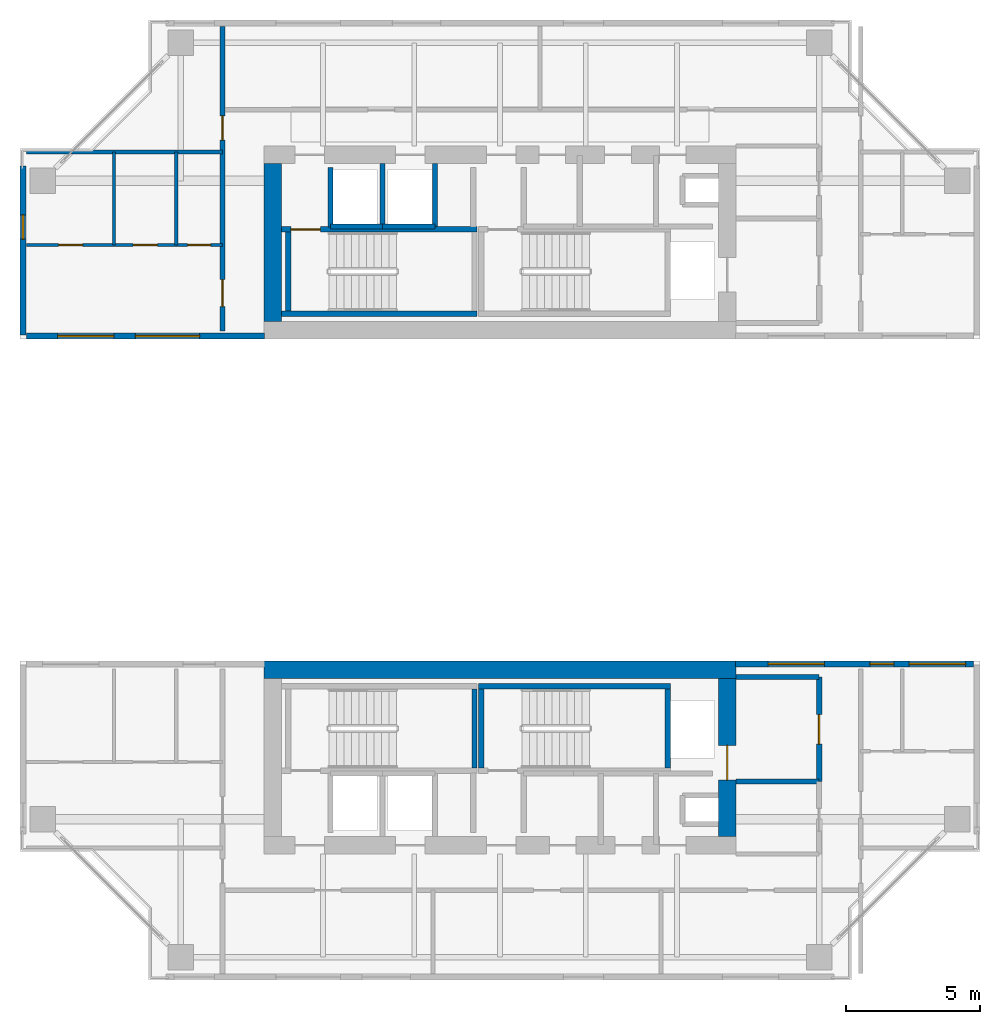
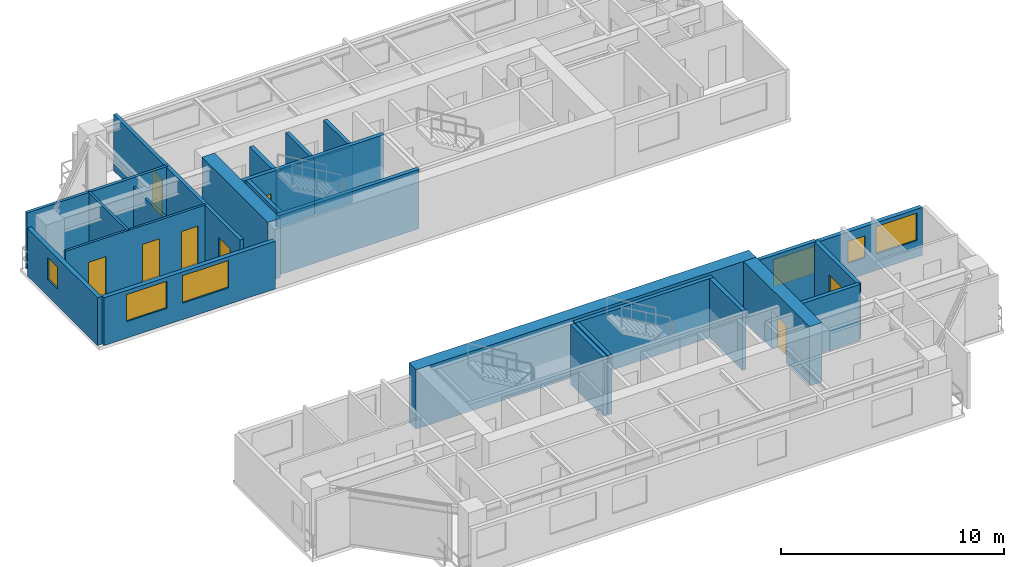
# One storey, part 8 of 12: 26 walls, 8 doors, 6 windows, 14 openings.
"""IFC4 building model written with IfcOpenShell, lengths in metres."""

from ifc_helpers import new_model, si_unit, direction, frame, frame_2d, origin, place, context, subcontext, project, spatial, rectangle, extrude, source, transform, mapped, material, layer, layer_set, type_object, element, fill, save


model = new_model("IFC4")

# Units and contexts
model_context = context("Model", 3, precision=1e-05, world=origin(), true_north=direction((0.0, 1.0)))
body_context = subcontext(model_context, "Body", "Model", "MODEL_VIEW")
ifc_project = project(units=[si_unit("LENGTHUNIT", "METRE"), si_unit("AREAUNIT", "SQUARE_METRE"), si_unit("VOLUMEUNIT", "CUBIC_METRE"), si_unit("PLANEANGLEUNIT", "RADIAN"), si_unit("MASSUNIT", "GRAM", prefix="KILO"), si_unit("THERMODYNAMICTEMPERATUREUNIT", "KELVIN"), si_unit("POWERUNIT", "WATT")], contexts=[model_context])

# Site, building, storey
site_placement = place(None, origin())
site = spatial("IfcSite", under=ifc_project, at=site_placement, CompositionType="ELEMENT")
building_placement = place(site_placement, origin())
building = spatial("IfcBuilding", under=site, at=building_placement, Name="Qiaomeng Ring Towers", CompositionType="ELEMENT")
storey_placement = place(building_placement, frame((0.0, 0.0, 160.0)))
storey = spatial("IfcBuildingStorey", under=building, at=storey_placement, Name="L46", CompositionType="ELEMENT", Elevation=160.0)

# Wall, openings, windows
ifc_material_1 = material(Name="Precast concrete C40", Category="concrete")
ifc_layer_1 = layer(ifc_material_1, 0.219970703125, Name="Precast concrete C40")
ifc_layer_set_1 = layer_set([ifc_layer_1], Name="Precast concrete C40")
wall_type_1 = type_object("IfcWallType", Name="ARC-WL-EW2", PredefinedType="STANDARD", material=ifc_layer_set_1)
wall_1_placement = place(storey_placement, frame((1.35009765625, 29.110107421875, 0.0), z_axis=(0.0, 0.0, 1.0), x_axis=(1.0, 0.0, 0.0)))
wall_1 = element("IfcWall", 1, at=wall_1_placement, inside=storey, type_object=wall_type_1, Name="L46 Portal Wing Wall NWING-W", PredefinedType="STANDARD", context=body_context, shape_type="SweptSolid", body=[
    extrude(rectangle(XDim=8.869873046875, YDim=0.219970703125, at=frame_2d((4.43505859375, 0.0))), origin(), (0.0, 0.0, 1.0), 2.610107421875),
])
opening_1_placement = place(wall_1_placement, frame((1.14990234375, 0.0, 0.89990234375)))
opening_1 = element("IfcOpeningElement", 2, at=opening_1_placement, cuts=wall_1, Name="Opening WN4", PredefinedType="OPENING", context=body_context, shape_type="SweptSolid", body=[
    extrude(rectangle(XDim=2.10009765625, YDim=1.47998046875, at=frame_2d((1.050048828125, 0.739990234375))), frame((0.0, 0.119873046875, 0.0), z_axis=(0.0, -1.0, 0.0), x_axis=(1.0, 0.0, 0.0)), (0.0, 0.0, 1.0), 0.239990234375),
])
opening_2_placement = place(wall_1_placement, frame((4.050048828125, 0.0, 0.89990234375)))
opening_2 = element("IfcOpeningElement", 3, at=opening_2_placement, cuts=wall_1, Name="Opening WN6", PredefinedType="OPENING", context=body_context, shape_type="SweptSolid", body=[
    extrude(rectangle(XDim=2.39990234375, YDim=1.5, at=frame_2d((1.199951171875, 0.75))), frame((0.0, 0.119873046875, 0.0), z_axis=(0.0, -1.0, 0.0), x_axis=(1.0, 0.0, 0.0)), (0.0, 0.0, 1.0), 0.239990234375),
])
ifc_material_2 = material(Name="Low-E dark-grey laminated double glazing", Category="glass")
window_type_1 = type_object("IfcWindowType", Name="ARC-WN-4", PartitioningType="TRIPLE_PANEL_VERTICAL", PredefinedType="WINDOW", material=ifc_material_2)
shared_shape_1 = source(origin(), body_context, "Body", "SweptSolid", [
    extrude(rectangle(XDim=2.10009765625, YDim=1.47998046875, at=frame_2d((1.050048828125, 0.739990234375))), frame((0.0, 0.030029296875, 0.0), z_axis=(0.0, -1.0, 0.0), x_axis=(1.0, 0.0, 0.0)), (0.0, 0.0, 1.0), 0.06005859375),
])
window_1_placement = place(opening_1_placement, origin())
window_1 = element("IfcWindow", 4, at=window_1_placement, inside=storey, type_object=window_type_1, Name="L46 Exterior Window WN4", OverallHeight=1.47998046875, OverallWidth=2.10009765625, PartitioningType="TRIPLE_PANEL_VERTICAL", PredefinedType="WINDOW", context=body_context, shape_type="MappedRepresentation", body=[
    mapped(shared_shape_1, transform((0.0, 0.0, 0.0), x_axis=(1.0, 0.0, 0.0), y_axis=(0.0, 1.0, 0.0), z_axis=(0.0, 0.0, 1.0), scale=1.0)),
])
fill(opening_1, window_1)
window_type_2 = type_object("IfcWindowType", Name="ARC-WN-6", PartitioningType="TRIPLE_PANEL_VERTICAL", PredefinedType="WINDOW", material=ifc_material_2)
shared_shape_2 = source(origin(), body_context, "Body", "SweptSolid", [
    extrude(rectangle(XDim=2.39990234375, YDim=1.5, at=frame_2d((1.199951171875, 0.75))), frame((0.0, 0.030029296875, 0.0), z_axis=(0.0, -1.0, 0.0), x_axis=(1.0, 0.0, 0.0)), (0.0, 0.0, 1.0), 0.06005859375),
])
window_2_placement = place(opening_2_placement, origin())
window_2 = element("IfcWindow", 5, at=window_2_placement, inside=storey, type_object=window_type_2, Name="L46 Exterior Window WN6", OverallHeight=1.5, OverallWidth=2.39990234375, PartitioningType="TRIPLE_PANEL_VERTICAL", PredefinedType="WINDOW", context=body_context, shape_type="MappedRepresentation", body=[
    mapped(shared_shape_2, transform((0.0, 0.0, 0.0), x_axis=(1.0, 0.0, 0.0), y_axis=(0.0, 1.0, 0.0), z_axis=(0.0, 0.0, 1.0), scale=1.0)),
])
fill(opening_2, window_2)

# Wall, opening, window
wall_2_placement = place(storey_placement, frame((1.2099609375, 29.14990234375, 0.0), z_axis=(0.0, 0.0, 1.0), x_axis=(0.0, 1.0, 0.0)))
wall_2 = element("IfcWall", 6, at=wall_2_placement, inside=storey, type_object=wall_type_1, Name="L46 Portal Wing Side Wall NWING-WL", PredefinedType="STANDARD", context=body_context, shape_type="SweptSolid", body=[
    extrude(rectangle(XDim=6.300048828125, YDim=0.219970703125, at=frame_2d((3.14990234375, 0.0))), origin(), (0.0, 0.0, 1.0), 2.610107421875),
])
opening_3_placement = place(wall_2_placement, frame((3.580078125, 0.0, 0.89990234375)))
opening_3 = element("IfcOpeningElement", 7, at=opening_3_placement, cuts=wall_2, Name="Opening WN5", PredefinedType="OPENING", context=body_context, shape_type="SweptSolid", body=[
    extrude(rectangle(XDim=0.89990234375, YDim=1.199951171875, at=frame_2d((0.449951171875, 0.60009765625))), frame((0.0, 0.119873046875, 0.0), z_axis=(0.0, -1.0, 0.0), x_axis=(1.0, 0.0, 0.0)), (0.0, 0.0, 1.0), 0.239990234375),
])
window_type_3 = type_object("IfcWindowType", Name="ARC-WN-5", PartitioningType="SINGLE_PANEL", PredefinedType="WINDOW", material=ifc_material_2)
shared_shape_3 = source(origin(), body_context, "Body", "SweptSolid", [
    extrude(rectangle(XDim=0.89990234375, YDim=1.199951171875, at=frame_2d((0.449951171875, 0.60009765625))), frame((0.0, 0.030029296875, 0.0), z_axis=(0.0, -1.0, 0.0), x_axis=(1.0, 0.0, 0.0)), (0.0, 0.0, 1.0), 0.06005859375),
])
window_3_placement = place(opening_3_placement, origin())
window_3 = element("IfcWindow", 8, at=window_3_placement, inside=storey, type_object=window_type_3, Name="L46 Exterior Window WN5", OverallHeight=1.199951171875, OverallWidth=0.89990234375, PartitioningType="SINGLE_PANEL", PredefinedType="WINDOW", context=body_context, shape_type="MappedRepresentation", body=[
    mapped(shared_shape_3, transform((0.0, 0.0, 0.0), x_axis=(1.0, 0.0, 0.0), y_axis=(0.0, 1.0, 0.0), z_axis=(0.0, 0.0, 1.0), scale=1.0)),
])
fill(opening_3, window_3)

# Wall, openings, windows
wall_3_placement = place(storey_placement, frame((27.780029296875, 16.889892578125, 0.0), z_axis=(0.0, 0.0, 1.0), x_axis=(1.0, 0.0, 0.0)))
wall_3 = element("IfcWall", 9, at=wall_3_placement, inside=storey, type_object=wall_type_1, Name="L46 Portal Wing Wall SWING-E", PredefinedType="STANDARD", context=body_context, shape_type="SweptSolid", body=[
    extrude(rectangle(XDim=8.869873046875, YDim=0.219970703125, at=frame_2d((4.43505859375, 0.0))), origin(), (0.0, 0.0, 1.0), 2.610107421875),
])
opening_4_placement = place(wall_3_placement, frame((1.219970703125, 0.0, 0.89990234375)))
opening_4 = element("IfcOpeningElement", 10, at=opening_4_placement, cuts=wall_3, Name="Opening WN4", PredefinedType="OPENING", context=body_context, shape_type="SweptSolid", body=[
    extrude(rectangle(XDim=2.10009765625, YDim=1.47998046875, at=frame_2d((1.050048828125, 0.739990234375))), frame((0.0, 0.119873046875, 0.0), z_axis=(0.0, -1.0, 0.0), x_axis=(1.0, 0.0, 0.0)), (0.0, 0.0, 1.0), 0.239990234375),
])
opening_5_placement = place(wall_3_placement, frame((6.47998046875, 0.0, 0.89990234375)))
opening_5 = element("IfcOpeningElement", 11, at=opening_5_placement, cuts=wall_3, Name="Opening WN4", PredefinedType="OPENING", context=body_context, shape_type="SweptSolid", body=[
    extrude(rectangle(XDim=2.10009765625, YDim=1.5, at=frame_2d((1.050048828125, 0.75))), frame((0.0, 0.119873046875, 0.0), z_axis=(0.0, -1.0, 0.0), x_axis=(1.0, 0.0, 0.0)), (0.0, 0.0, 1.0), 0.239990234375),
])
opening_6_placement = place(wall_3_placement, frame((5.010009765625, 0.0, 0.89990234375)))
opening_6 = element("IfcOpeningElement", 12, at=opening_6_placement, cuts=wall_3, Name="Opening WN5", PredefinedType="OPENING", context=body_context, shape_type="SweptSolid", body=[
    extrude(rectangle(XDim=0.89990234375, YDim=1.199951171875, at=frame_2d((0.449951171875, 0.60009765625))), frame((0.0, 0.119873046875, 0.0), z_axis=(0.0, -1.0, 0.0), x_axis=(1.0, 0.0, 0.0)), (0.0, 0.0, 1.0), 0.239990234375),
])
window_4_placement = place(opening_4_placement, origin())
window_4 = element("IfcWindow", 13, at=window_4_placement, inside=storey, type_object=window_type_1, Name="L46 Exterior Window WN4", OverallHeight=1.47998046875, OverallWidth=2.10009765625, PartitioningType="TRIPLE_PANEL_VERTICAL", PredefinedType="WINDOW", context=body_context, shape_type="MappedRepresentation", body=[
    mapped(shared_shape_1, transform((0.0, 0.0, 0.0), x_axis=(1.0, 0.0, 0.0), y_axis=(0.0, 1.0, 0.0), z_axis=(0.0, 0.0, 1.0), scale=1.0)),
])
fill(opening_4, window_4)
shared_shape_4 = source(origin(), body_context, "Body", "SweptSolid", [
    extrude(rectangle(XDim=2.10009765625, YDim=1.5, at=frame_2d((1.050048828125, 0.75))), frame((0.0, 0.030029296875, 0.0), z_axis=(0.0, -1.0, 0.0), x_axis=(1.0, 0.0, 0.0)), (0.0, 0.0, 1.0), 0.06005859375),
])
window_5_placement = place(opening_5_placement, origin())
window_5 = element("IfcWindow", 14, at=window_5_placement, inside=storey, type_object=window_type_1, Name="L46 Exterior Window WN6", OverallHeight=1.5, OverallWidth=2.10009765625, PartitioningType="TRIPLE_PANEL_VERTICAL", PredefinedType="WINDOW", context=body_context, shape_type="MappedRepresentation", body=[
    mapped(shared_shape_4, transform((0.0, 0.0, 0.0), x_axis=(1.0, 0.0, 0.0), y_axis=(0.0, 1.0, 0.0), z_axis=(0.0, 0.0, 1.0), scale=1.0)),
])
fill(opening_5, window_5)
window_6_placement = place(opening_6_placement, origin())
window_6 = element("IfcWindow", 15, at=window_6_placement, inside=storey, type_object=window_type_3, Name="L46 Exterior Window WN5", OverallHeight=1.199951171875, OverallWidth=0.89990234375, PartitioningType="SINGLE_PANEL", PredefinedType="WINDOW", context=body_context, shape_type="MappedRepresentation", body=[
    mapped(shared_shape_3, transform((0.0, 0.0, 0.0), x_axis=(1.0, 0.0, 0.0), y_axis=(0.0, 1.0, 0.0), z_axis=(0.0, 0.0, 1.0), scale=1.0)),
])
fill(opening_6, window_6)

# Walls
ifc_material_3 = material(Name="Autoclaved aerated concrete block", Category="concrete")
ifc_layer_2 = layer(ifc_material_3, 0.199951171875, Name="Autoclaved aerated concrete block")
ifc_layer_set_2 = layer_set([ifc_layer_2], Name="Autoclaved aerated concrete block")
wall_type_2 = type_object("IfcWallType", Name="ARC-WL-PW1", PredefinedType="PARTITIONING", material=ifc_layer_set_2)
for number, where, z_axis, x_axis, name in (
    (16, (27.800048828125, 16.39990234375, 0.0), (0.0, 0.0, 1.0), (1.0, 0.0, 0.0), "L46 Interior Wall PW1"),
    (17, (27.800048828125, 12.5, 0.0), (0.0, 0.0, 1.0), (1.0, 0.0, 0.0), "L46 Interior Wall PW1"),
):
    element("IfcWall", number, at=place(storey_placement, frame(where, z_axis=z_axis, x_axis=x_axis)), inside=storey, type_object=wall_type_2, Name=name, PredefinedType="PARTITIONING", context=body_context, shape_type="SweptSolid", body=[
        extrude(rectangle(XDim=3.099853515625, YDim=0.199951171875, at=frame_2d((1.5498046875, 0.0))), origin(), (0.0, 0.0, 1.0), 3.070068359375),
    ])

# Wall, opening, door
wall_4_placement = place(storey_placement, frame((30.89990234375, 12.5, 0.0), z_axis=(0.0, 0.0, 1.0), x_axis=(0.0, 1.0, 0.0)))
wall_4 = element("IfcWall", 18, at=wall_4_placement, inside=storey, type_object=wall_type_2, Name="L46 Interior Wall PW1", PredefinedType="PARTITIONING", context=body_context, shape_type="SweptSolid", body=[
    extrude(rectangle(XDim=3.89990234375, YDim=0.199951171875, at=frame_2d((1.949951171875, 0.0))), origin(), (0.0, 0.0, 1.0), 3.070068359375),
])
opening_7_placement = place(wall_4_placement, frame((1.39990234375, 0.0, 0.0)))
opening_7 = element("IfcOpeningElement", 19, at=opening_7_placement, cuts=wall_4, Name="Opening FD3", PredefinedType="OPENING", context=body_context, shape_type="SweptSolid", body=[
    extrude(rectangle(XDim=1.10009765625, YDim=2.050048828125, at=frame_2d((0.550048828125, 1.02490234375))), frame((0.0, 0.10986328125, 0.0), z_axis=(0.0, -1.0, 0.0), x_axis=(1.0, 0.0, 0.0)), (0.0, 0.0, 1.0), 0.219970703125),
])
ifc_material_4 = material(Name="Galvanised steel", Category="steel")
door_type_1 = type_object("IfcDoorType", Name="ARC-DR-FD3", OperationType="NOTDEFINED", PredefinedType="DOOR", material=ifc_material_4)
shared_shape_5 = source(origin(), body_context, "Body", "SweptSolid", [
    extrude(rectangle(XDim=1.10009765625, YDim=2.050048828125, at=frame_2d((0.550048828125, 1.02490234375))), frame((0.0, 0.02490234375, 0.0), z_axis=(0.0, -1.0, 0.0), x_axis=(1.0, 0.0, 0.0)), (0.0, 0.0, 1.0), 0.050048828125),
])
door_1_placement = place(opening_7_placement, origin())
door_1 = element("IfcDoor", 20, at=door_1_placement, inside=storey, type_object=door_type_1, Name="L46 South FF Lobby Door", OperationType="SINGLE_SWING_LEFT", OverallHeight=2.050048828125, OverallWidth=1.10009765625, PredefinedType="DOOR", context=body_context, shape_type="MappedRepresentation", body=[
    mapped(shared_shape_5, transform((0.0, 0.0, 0.0), x_axis=(1.0, 0.0, 0.0), y_axis=(0.0, 1.0, 0.0), z_axis=(0.0, 0.0, 1.0), scale=1.0)),
])
fill(opening_7, door_1)

# Wall
wall_5_placement = place(storey_placement, frame((12.679931640625, 33.18994140625, 0.0), z_axis=(0.0, 0.0, 1.0), x_axis=(0.0, 1.0, 0.0)))
element("IfcWall", 21, at=wall_5_placement, inside=storey, type_object=wall_type_2, Name="L46 Interior Wall PW1", PredefinedType="PARTITIONING", context=body_context, shape_type="SweptSolid", body=[
    extrude(rectangle(XDim=2.2099609375, YDim=0.199951171875, at=frame_2d((1.10498046875, 0.0))), origin(), (0.0, 0.0, 1.0), 3.070068359375),
])

# Wall, openings, doors
ifc_layer_3 = layer(ifc_material_3, 0.179931640625, Name="Autoclaved aerated concrete block")
ifc_layer_set_3 = layer_set([ifc_layer_3], Name="Autoclaved aerated concrete block")
wall_type_3 = type_object("IfcWallType", Name="ARC-WL-PW2", PredefinedType="PARTITIONING", material=ifc_layer_set_3)
wall_6_placement = place(storey_placement, frame((8.64990234375, 29.300048828125, 0.0), z_axis=(0.0, 0.0, 1.0), x_axis=(0.0, 1.0, 0.0)))
wall_6 = element("IfcWall", 22, at=wall_6_placement, inside=storey, type_object=wall_type_3, Name="L46 Interior Wall PW2", PredefinedType="PARTITIONING", context=body_context, shape_type="SweptSolid", body=[
    extrude(rectangle(XDim=11.349853515625, YDim=0.179931640625, at=frame_2d((5.6748046875, 0.0))), origin(), (0.0, 0.0, 1.0), 3.070068359375),
])
opening_8_placement = place(wall_6_placement, frame((0.9150390625, 0.0, 0.0)))
opening_8 = element("IfcOpeningElement", 23, at=opening_8_placement, cuts=wall_6, Name="Opening FD4", PredefinedType="OPENING", context=body_context, shape_type="SweptSolid", body=[
    extrude(rectangle(XDim=1.0, YDim=2.050048828125, at=frame_2d((0.5, 1.02490234375))), frame((0.0, 0.099853515625, 0.0), z_axis=(0.0, -1.0, 0.0), x_axis=(1.0, 0.0, 0.0)), (0.0, 0.0, 1.0), 0.199951171875),
])
opening_9_placement = place(wall_6_placement, frame((7.1201171875, 0.0, 0.0)))
opening_9 = element("IfcOpeningElement", 24, at=opening_9_placement, cuts=wall_6, Name="Opening ID1", PredefinedType="OPENING", context=body_context, shape_type="SweptSolid", body=[
    extrude(rectangle(XDim=0.89990234375, YDim=2.050048828125, at=frame_2d((0.449951171875, 1.02490234375))), frame((0.0, 0.099853515625, 0.0), z_axis=(0.0, -1.0, 0.0), x_axis=(1.0, 0.0, 0.0)), (0.0, 0.0, 1.0), 0.199951171875),
])
ifc_material_5 = material(Name="Engineered fire-rated oak timber", Category="wood")
door_type_2 = type_object("IfcDoorType", Name="ARC-DR-FD4", OperationType="NOTDEFINED", PredefinedType="DOOR", material=ifc_material_5)
shared_shape_6 = source(origin(), body_context, "Body", "SweptSolid", [
    extrude(rectangle(XDim=1.0, YDim=2.050048828125, at=frame_2d((0.5, 1.02490234375))), frame((0.0, 0.02490234375, 0.0), z_axis=(0.0, -1.0, 0.0), x_axis=(1.0, 0.0, 0.0)), (0.0, 0.0, 1.0), 0.050048828125),
])
door_2_placement = place(opening_8_placement, origin())
door_2 = element("IfcDoor", 25, at=door_2_placement, inside=storey, type_object=door_type_2, Name="L46 Door FD4", OperationType="SINGLE_SWING_LEFT", OverallHeight=2.050048828125, OverallWidth=1.0, PredefinedType="DOOR", context=body_context, shape_type="MappedRepresentation", body=[
    mapped(shared_shape_6, transform((0.0, 0.0, 0.0), x_axis=(1.0, 0.0, 0.0), y_axis=(0.0, 1.0, 0.0), z_axis=(0.0, 0.0, 1.0), scale=1.0)),
])
fill(opening_8, door_2)
ifc_material_6 = material(Name="Engineered oak timber", Category="wood")
door_type_3 = type_object("IfcDoorType", Name="ARC-DR-ID1", OperationType="NOTDEFINED", PredefinedType="DOOR", material=ifc_material_6)
shared_shape_7 = source(origin(), body_context, "Body", "SweptSolid", [
    extrude(rectangle(XDim=0.89990234375, YDim=2.050048828125, at=frame_2d((0.449951171875, 1.02490234375))), frame((0.0, 0.02490234375, 0.0), z_axis=(0.0, -1.0, 0.0), x_axis=(1.0, 0.0, 0.0)), (0.0, 0.0, 1.0), 0.050048828125),
])
door_3_placement = place(opening_9_placement, origin())
door_3 = element("IfcDoor", 26, at=door_3_placement, inside=storey, type_object=door_type_3, Name="L46 Door ID1", OperationType="SINGLE_SWING_RIGHT", OverallHeight=2.050048828125, OverallWidth=0.89990234375, PredefinedType="DOOR", context=body_context, shape_type="MappedRepresentation", body=[
    mapped(shared_shape_7, transform((0.0, 0.0, 0.0), x_axis=(1.0, 0.0, 0.0), y_axis=(0.0, 1.0, 0.0), z_axis=(0.0, 0.0, 1.0), scale=1.0)),
])
fill(opening_9, door_3)

# Wall
ifc_material_7 = material(Name="Gypsum fireboard steel-stud partition", Category="steel")
ifc_layer_4 = layer(ifc_material_7, 0.14990234375, Name="Gypsum fireboard steel-stud partition")
ifc_layer_set_4 = layer_set([ifc_layer_4], Name="Gypsum fireboard steel-stud partition")
wall_type_4 = type_object("IfcWallType", Name="ARC-WL-PW3", PredefinedType="PARTITIONING", material=ifc_layer_set_4)
wall_7_placement = place(storey_placement, frame((1.35009765625, 35.97998046875, 0.0), z_axis=(0.0, 0.0, 1.0), x_axis=(1.0, 0.0, 0.0)))
element("IfcWall", 27, at=wall_7_placement, inside=storey, type_object=wall_type_4, Name="L46 Interior Wall PW3", PredefinedType="PARTITIONING", context=body_context, shape_type="SweptSolid", body=[
    extrude(rectangle(XDim=7.2998046875, YDim=0.14990234375, at=frame_2d((3.64990234375, 0.0))), origin(), (0.0, 0.0, 1.0), 3.070068359375),
])

# Wall, openings, doors
ifc_material_8 = material(Name="Moisture-resistant gypsum steel-stud partition", Category="steel")
ifc_layer_5 = layer(ifc_material_8, 0.1201171875, Name="Moisture-resistant gypsum steel-stud partition")
ifc_layer_set_5 = layer_set([ifc_layer_5], Name="Moisture-resistant gypsum steel-stud partition")
wall_type_5 = type_object("IfcWallType", Name="ARC-WL-PW4", PredefinedType="PLUMBINGWALL", material=ifc_layer_set_5)
wall_8_placement = place(storey_placement, frame((1.35009765625, 32.510009765625, 0.0), z_axis=(0.0, 0.0, 1.0), x_axis=(1.0, 0.0, 0.0)))
wall_8 = element("IfcWall", 28, at=wall_8_placement, inside=storey, type_object=wall_type_5, Name="L46 Interior Wall PW4", PredefinedType="PLUMBINGWALL", context=body_context, shape_type="SweptSolid", body=[
    extrude(rectangle(XDim=7.2998046875, YDim=0.1201171875, at=frame_2d((3.64990234375, 0.0))), origin(), (0.0, 0.0, 1.0), 3.070068359375),
])
opening_10_placement = place(wall_8_placement, frame((1.18994140625, 0.0, 0.0)))
opening_10 = element("IfcOpeningElement", 29, at=opening_10_placement, cuts=wall_8, Name="Opening ID1", PredefinedType="OPENING", context=body_context, shape_type="SweptSolid", body=[
    extrude(rectangle(XDim=0.89990234375, YDim=2.050048828125, at=frame_2d((0.449951171875, 1.02490234375))), frame((0.0, 0.070068359375, 0.0), z_axis=(0.0, -1.0, 0.0), x_axis=(1.0, 0.0, 0.0)), (0.0, 0.0, 1.0), 0.14013671875),
])
opening_11_placement = place(wall_8_placement, frame((3.969970703125, 0.0, 0.0)))
opening_11 = element("IfcOpeningElement", 30, at=opening_11_placement, cuts=wall_8, Name="Opening ID1", PredefinedType="OPENING", context=body_context, shape_type="SweptSolid", body=[
    extrude(rectangle(XDim=0.89990234375, YDim=2.050048828125, at=frame_2d((0.449951171875, 1.02490234375))), frame((0.0, 0.070068359375, 0.0), z_axis=(0.0, -1.0, 0.0), x_axis=(1.0, 0.0, 0.0)), (0.0, 0.0, 1.0), 0.14013671875),
])
opening_12_placement = place(wall_8_placement, frame((6.0048828125, 0.0, 0.0)))
opening_12 = element("IfcOpeningElement", 31, at=opening_12_placement, cuts=wall_8, Name="Opening ID2", PredefinedType="OPENING", context=body_context, shape_type="SweptSolid", body=[
    extrude(rectangle(XDim=0.85009765625, YDim=2.050048828125, at=frame_2d((0.425048828125, 1.02490234375))), frame((0.0, 0.070068359375, 0.0), z_axis=(0.0, -1.0, 0.0), x_axis=(1.0, 0.0, 0.0)), (0.0, 0.0, 1.0), 0.14013671875),
])
ifc_material_9 = material(Name="Moisture-resistant engineered timber", Category="wood")
door_type_4 = type_object("IfcDoorType", Name="ARC-DR-ID2", OperationType="NOTDEFINED", PredefinedType="DOOR", material=ifc_material_9)
shared_shape_8 = source(origin(), body_context, "Body", "SweptSolid", [
    extrude(rectangle(XDim=0.85009765625, YDim=2.050048828125, at=frame_2d((0.425048828125, 1.02490234375))), frame((0.0, 0.02490234375, 0.0), z_axis=(0.0, -1.0, 0.0), x_axis=(1.0, 0.0, 0.0)), (0.0, 0.0, 1.0), 0.050048828125),
])
door_4_placement = place(opening_12_placement, origin())
door_4 = element("IfcDoor", 32, at=door_4_placement, inside=storey, type_object=door_type_4, Name="L46 Door ID2", OperationType="SINGLE_SWING_RIGHT", OverallHeight=2.050048828125, OverallWidth=0.85009765625, PredefinedType="DOOR", context=body_context, shape_type="MappedRepresentation", body=[
    mapped(shared_shape_8, transform((0.0, 0.0, 0.0), x_axis=(1.0, 0.0, 0.0), y_axis=(0.0, 1.0, 0.0), z_axis=(0.0, 0.0, 1.0), scale=1.0)),
])
fill(opening_12, door_4)
door_5_placement = place(opening_10_placement, origin())
door_5 = element("IfcDoor", 33, at=door_5_placement, inside=storey, type_object=door_type_3, Name="L46 Door ID1", OperationType="SINGLE_SWING_RIGHT", OverallHeight=2.050048828125, OverallWidth=0.89990234375, PredefinedType="DOOR", context=body_context, shape_type="MappedRepresentation", body=[
    mapped(shared_shape_7, transform((0.0, 0.0, 0.0), x_axis=(1.0, 0.0, 0.0), y_axis=(0.0, 1.0, 0.0), z_axis=(0.0, 0.0, 1.0), scale=1.0)),
])
fill(opening_10, door_5)
door_6_placement = place(opening_11_placement, origin())
door_6 = element("IfcDoor", 34, at=door_6_placement, inside=storey, type_object=door_type_3, Name="L46 Door ID1", OperationType="SINGLE_SWING_LEFT", OverallHeight=2.050048828125, OverallWidth=0.89990234375, PredefinedType="DOOR", context=body_context, shape_type="MappedRepresentation", body=[
    mapped(shared_shape_7, transform((0.0, 0.0, 0.0), x_axis=(1.0, 0.0, 0.0), y_axis=(0.0, 1.0, 0.0), z_axis=(0.0, 0.0, 1.0), scale=1.0)),
])
fill(opening_11, door_6)

# Walls
wall_9_placement = place(storey_placement, frame((4.610107421875, 32.510009765625, 0.0), z_axis=(0.0, 0.0, 1.0), x_axis=(0.0, 1.0, 0.0)))
element("IfcWall", 35, at=wall_9_placement, inside=storey, type_object=wall_type_5, Name="L46 Interior Wall PW4", PredefinedType="PLUMBINGWALL", context=body_context, shape_type="SweptSolid", body=[
    extrude(rectangle(XDim=3.469970703125, YDim=0.1201171875, at=frame_2d((1.73486328125, 0.0))), origin(), (0.0, 0.0, 1.0), 3.070068359375),
])
wall_10_placement = place(storey_placement, frame((6.929931640625, 32.510009765625, 0.0), z_axis=(0.0, 0.0, 1.0), x_axis=(0.0, 1.0, 0.0)))
element("IfcWall", 36, at=wall_10_placement, inside=storey, type_object=wall_type_5, Name="L46 Interior Wall PW4", PredefinedType="PLUMBINGWALL", context=body_context, shape_type="SweptSolid", body=[
    extrude(rectangle(XDim=3.469970703125, YDim=0.1201171875, at=frame_2d((1.73486328125, 0.0))), origin(), (0.0, 0.0, 1.0), 2.56494140625),
])
ifc_material_10 = material(Name="Concrete C40", Category="concrete")
ifc_layer_6 = layer(ifc_material_10, 0.199951171875, Name="Concrete C40")
ifc_layer_set_6 = layer_set([ifc_layer_6], Name="Concrete C40")
wall_type_6 = type_object("IfcWallType", Name="STR-WL-STSHAFT", PredefinedType="SHEAR", material=ifc_layer_set_6)
wall_11_placement = place(storey_placement, frame((12.679931640625, 33.199951171875, 0.0), z_axis=(0.0, 0.0, 1.0), x_axis=(1.0, 0.0, 0.0)))
element("IfcWall", 37, at=wall_11_placement, inside=storey, type_object=wall_type_6, Name="L46 Lift LP5 Shaft Back Wall", PredefinedType="SHEAR", context=body_context, shape_type="SweptSolid", body=[
    extrude(rectangle(XDim=1.940185546875, YDim=0.179931640625, at=frame_2d((0.97021484375, 0.0))), origin(), (0.0, 0.0, 1.0), 3.070068359375),
])
wall_12_placement = place(storey_placement, frame((14.6201171875, 33.199951171875, 0.0), z_axis=(0.0, 0.0, 1.0), x_axis=(0.0, 1.0, 0.0)))
element("IfcWall", 38, at=wall_12_placement, inside=storey, type_object=wall_type_6, Name="L46 Lift LP5-LP3 Shaft Divider Wall", PredefinedType="SHEAR", context=body_context, shape_type="SweptSolid", body=[
    extrude(rectangle(XDim=2.35009765625, YDim=0.179931640625, at=frame_2d((1.175048828125, 0.0))), origin(), (0.0, 0.0, 1.0), 3.070068359375),
])
wall_13_placement = place(storey_placement, frame((14.6201171875, 33.199951171875, 0.0), z_axis=(0.0, 0.0, 1.0), x_axis=(1.0, 0.0, 0.0)))
element("IfcWall", 39, at=wall_13_placement, inside=storey, type_object=wall_type_6, Name="L46 Lift LP3 Shaft Back Wall", PredefinedType="SHEAR", context=body_context, shape_type="SweptSolid", body=[
    extrude(rectangle(XDim=1.9599609375, YDim=0.179931640625, at=frame_2d((0.97998046875, 0.0))), origin(), (0.0, 0.0, 1.0), 3.070068359375),
])
wall_14_placement = place(storey_placement, frame((16.580078125, 33.199951171875, 0.0), z_axis=(0.0, 0.0, 1.0), x_axis=(0.0, 1.0, 0.0)))
element("IfcWall", 40, at=wall_14_placement, inside=storey, type_object=wall_type_6, Name="L46 Lift LP3 East Shaft Wall", PredefinedType="SHEAR", context=body_context, shape_type="SweptSolid", body=[
    extrude(rectangle(XDim=2.35009765625, YDim=0.179931640625, at=frame_2d((1.175048828125, 0.0))), origin(), (0.0, 0.0, 1.0), 3.070068359375),
])
wall_15_placement = place(storey_placement, frame((10.85009765625, 29.949951171875, 0.0), z_axis=(0.0, 0.0, 1.0), x_axis=(1.0, 0.0, 0.0)))
element("IfcWall", 41, at=wall_15_placement, inside=storey, type_object=wall_type_6, Name="L46 Stair ST1 South Shaft Shear Wall", PredefinedType="SHEAR", context=body_context, shape_type="SweptSolid", body=[
    extrude(rectangle(XDim=7.2998046875, YDim=0.199951171875, at=frame_2d((3.64990234375, 0.0))), origin(), (0.0, 0.0, 1.0), 3.25),
])

# Wall, opening, door
wall_16_placement = place(storey_placement, frame((10.85009765625, 33.090087890625, 0.0), z_axis=(0.0, 0.0, 1.0), x_axis=(1.0, 0.0, 0.0)))
wall_16 = element("IfcWall", 42, at=wall_16_placement, inside=storey, type_object=wall_type_6, Name="L46 Stair ST1 North Shaft Shear Wall", PredefinedType="SHEAR", context=body_context, shape_type="SweptSolid", body=[
    extrude(rectangle(XDim=7.2998046875, YDim=0.199951171875, at=frame_2d((3.64990234375, 0.0))), origin(), (0.0, 0.0, 1.0), 3.25),
])
opening_13_placement = place(wall_16_placement, frame((0.35009765625, 0.0, 0.0)))
opening_13 = element("IfcOpeningElement", 43, at=opening_13_placement, cuts=wall_16, Name="Opening FD3", PredefinedType="OPENING", context=body_context, shape_type="SweptSolid", body=[
    extrude(rectangle(XDim=1.10009765625, YDim=2.050048828125, at=frame_2d((0.550048828125, 1.02490234375))), frame((0.0, 0.10986328125, 0.0), z_axis=(0.0, -1.0, 0.0), x_axis=(1.0, 0.0, 0.0)), (0.0, 0.0, 1.0), 0.219970703125),
])
door_7_placement = place(opening_13_placement, origin())
door_7 = element("IfcDoor", 44, at=door_7_placement, inside=storey, type_object=door_type_1, Name="L46 Stair ST1 Exit Door", OperationType="SINGLE_SWING_LEFT", OverallHeight=2.050048828125, OverallWidth=1.10009765625, PredefinedType="DOOR", context=body_context, shape_type="MappedRepresentation", body=[
    mapped(shared_shape_5, transform((0.0, 0.0, 0.0), x_axis=(1.0, 0.0, 0.0), y_axis=(0.0, 1.0, 0.0), z_axis=(0.0, 0.0, 1.0), scale=1.0)),
])
fill(opening_13, door_7)

# Walls
for number, where, z_axis, x_axis, name in (
    (45, (11.10009765625, 30.050048828125, 0.0), (0.0, 0.0, 1.0), (0.0, 1.0, 0.0), "L46 Stair ST1 West Shaft Shear Wall"),
    (46, (18.050048828125, 13.010009765625, 0.0), (0.0, 0.0, 1.0), (0.0, 1.0, 0.0), "L46 Stair ST3 East Shaft Shear Wall"),
):
    element("IfcWall", number, at=place(storey_placement, frame(where, z_axis=z_axis, x_axis=x_axis)), inside=storey, type_object=wall_type_6, Name=name, PredefinedType="SHEAR", context=body_context, shape_type="SweptSolid", body=[
        extrude(rectangle(XDim=2.93994140625, YDim=0.199951171875, at=frame_2d((1.469970703125, 0.0))), origin(), (0.0, 0.0, 1.0), 3.25),
    ])
wall_17_placement = place(storey_placement, frame((18.199951171875, 16.050048828125, 0.0), z_axis=(0.0, 0.0, 1.0), x_axis=(1.0, 0.0, 0.0)))
element("IfcWall", 47, at=wall_17_placement, inside=storey, type_object=wall_type_6, Name="L46 Stair ST4 North Shaft Shear Wall", PredefinedType="SHEAR", context=body_context, shape_type="SweptSolid", body=[
    extrude(rectangle(XDim=7.150146484375, YDim=0.199951171875, at=frame_2d((3.5751953125, 0.0))), origin(), (0.0, 0.0, 1.0), 3.25),
])
for number, where, z_axis, x_axis, name in (
    (48, (18.300048828125, 13.010009765625, 0.0), (0.0, 0.0, 1.0), (0.0, 1.0, 0.0), "L46 Stair ST4 West Shaft Shear Wall"),
    (49, (25.25, 13.010009765625, 0.0), (0.0, 0.0, 1.0), (0.0, 1.0, 0.0), "L46 Stair ST4 East Shaft Shear Wall"),
):
    element("IfcWall", number, at=place(storey_placement, frame(where, z_axis=z_axis, x_axis=x_axis)), inside=storey, type_object=wall_type_6, Name=name, PredefinedType="SHEAR", context=body_context, shape_type="SweptSolid", body=[
        extrude(rectangle(XDim=2.93994140625, YDim=0.199951171875, at=frame_2d((1.469970703125, 0.0))), origin(), (0.0, 0.0, 1.0), 3.25),
    ])
ifc_material_11 = material(Name="Concrete C50", Category="concrete")
ifc_layer_7 = layer(ifc_material_11, 0.64990234375, Name="Concrete C50")
ifc_layer_set_7 = layer_set([ifc_layer_7], Name="Concrete C50")
wall_type_7 = type_object("IfcWallType", Name="STR-WL-SW2B", PredefinedType="SHEAR", material=ifc_layer_set_7)
wall_18_placement = place(storey_placement, frame((10.52490234375, 29.64990234375, 0.0), z_axis=(0.0, 0.0, 1.0), x_axis=(0.0, 1.0, 0.0)))
element("IfcWall", 50, at=wall_18_placement, inside=storey, type_object=wall_type_7, Name="L46 T1NC west core shear wall", PredefinedType="SHEAR", context=body_context, shape_type="SweptSolid", body=[
    extrude(rectangle(XDim=5.900146484375, YDim=0.64990234375, at=frame_2d((2.9501953125, 0.0))), origin(), (0.0, 0.0, 1.0), 3.25),
])
wall_19_placement = place(storey_placement, frame((10.199951171875, 16.675048828125, 0.0), z_axis=(0.0, 0.0, 1.0), x_axis=(1.0, 0.0, 0.0)))
element("IfcWall", 51, at=wall_19_placement, inside=storey, type_object=wall_type_7, Name="L46 T1SC north core shear wall", PredefinedType="SHEAR", context=body_context, shape_type="SweptSolid", body=[
    extrude(rectangle(XDim=17.60009765625, YDim=0.64990234375, at=frame_2d((8.800048828125, 0.0))), origin(), (0.0, 0.0, 1.0), 3.25),
])

# Wall, opening, door
wall_20_placement = place(storey_placement, frame((27.47509765625, 10.449951171875, 0.0), z_axis=(0.0, 0.0, 1.0), x_axis=(0.0, 1.0, 0.0)))
wall_20 = element("IfcWall", 52, at=wall_20_placement, inside=storey, type_object=wall_type_7, Name="L46 T1SC east core shear wall", PredefinedType="SHEAR", context=body_context, shape_type="SweptSolid", body=[
    extrude(rectangle(XDim=5.900146484375, YDim=0.64990234375, at=frame_2d((2.9501953125, 0.0))), origin(), (0.0, 0.0, 1.0), 3.25),
])
opening_14_placement = place(wall_20_placement, frame((2.10009765625, 0.0, 0.0)))
opening_14 = element("IfcOpeningElement", 53, at=opening_14_placement, cuts=wall_20, Name="Opening LD2", PredefinedType="OPENING", context=body_context, shape_type="SweptSolid", body=[
    extrude(rectangle(XDim=1.300048828125, YDim=2.050048828125, at=frame_2d((0.64990234375, 1.02490234375))), frame((0.0, 0.3349609375, 0.0), z_axis=(0.0, -1.0, 0.0), x_axis=(1.0, 0.0, 0.0)), (0.0, 0.0, 1.0), 0.669921875),
])
ifc_material_12 = material(Name="Stainless steel 316", Category="steel")
door_type_5 = type_object("IfcDoorType", Name="ARC-DR-LD2", OperationType="NOTDEFINED", PredefinedType="DOOR", material=ifc_material_12)
shared_shape_9 = source(origin(), body_context, "Body", "SweptSolid", [
    extrude(rectangle(XDim=1.300048828125, YDim=2.050048828125, at=frame_2d((0.64990234375, 1.02490234375))), frame((0.0, 0.02490234375, 0.0), z_axis=(0.0, -1.0, 0.0), x_axis=(1.0, 0.0, 0.0)), (0.0, 0.0, 1.0), 0.050048828125),
])
door_8_placement = place(opening_14_placement, origin())
door_8 = element("IfcDoor", 54, at=door_8_placement, inside=storey, type_object=door_type_5, Name="L46 Firefighting Lift FL2 Landing Door", OperationType="SLIDING_TO_RIGHT", OverallHeight=2.050048828125, OverallWidth=1.300048828125, PredefinedType="DOOR", context=body_context, shape_type="MappedRepresentation", body=[
    mapped(shared_shape_9, transform((0.0, 0.0, 0.0), x_axis=(1.0, 0.0, 0.0), y_axis=(0.0, 1.0, 0.0), z_axis=(0.0, 0.0, 1.0), scale=1.0)),
])
fill(opening_14, door_8)

save(model, "model.ifc")
